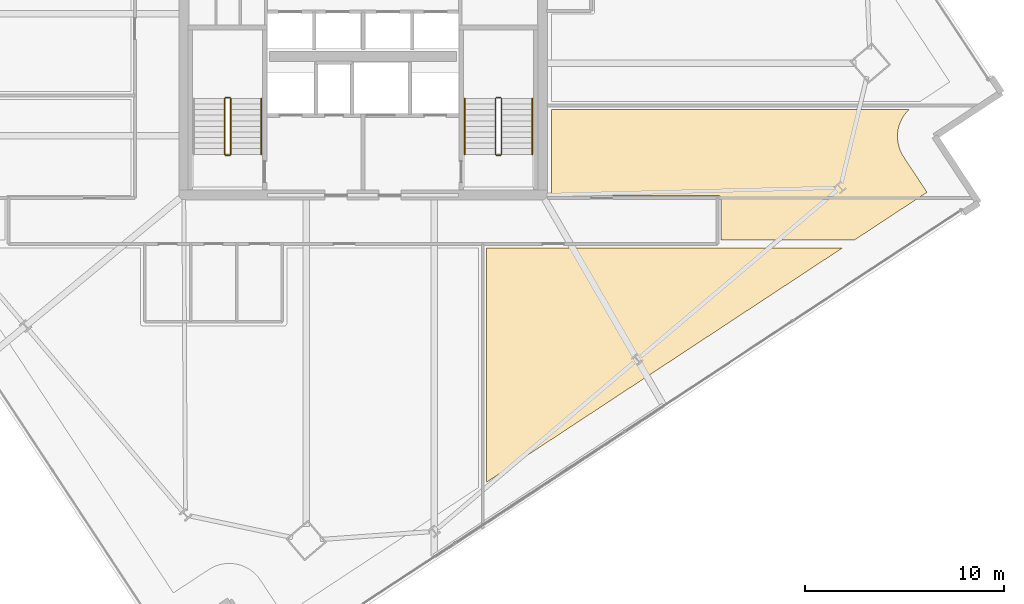
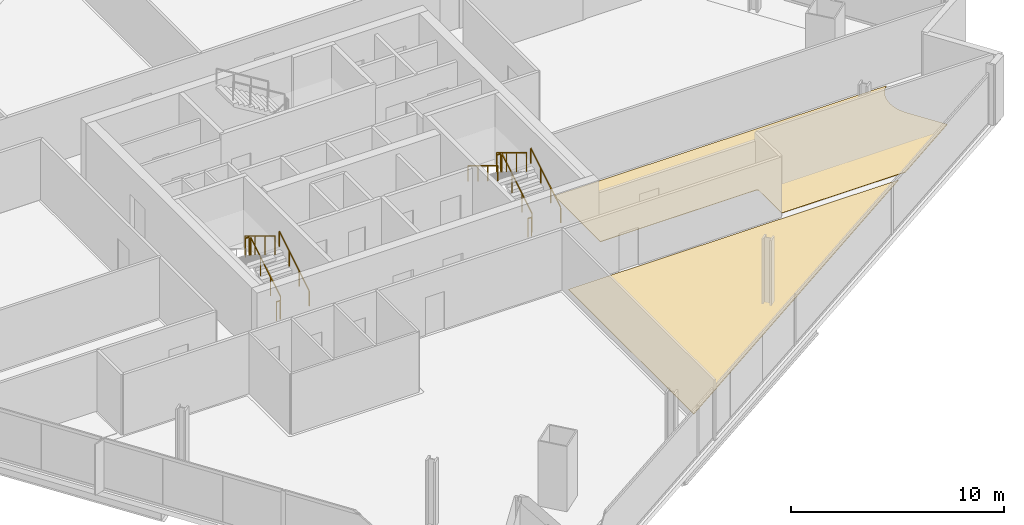
# One storey, part 26 of 29: 11 railings, 2 coverings.
"""IFC4 building model written with IfcOpenShell, lengths in metres."""

from ifc_helpers import new_model, si_unit, direction, frame, origin, origin_2d, place, context, subcontext, project, spatial, polyline, rectangle, outline, extrude, material, layer, layer_set, type_object, element, save


model = new_model("IFC4")

# Units and contexts
model_context = context("Model", 3, precision=1e-05, world=origin(), true_north=direction((0.0, 1.0)))
body_context = subcontext(model_context, "Body", "Model", "MODEL_VIEW")
ifc_project = project(units=[si_unit("LENGTHUNIT", "METRE"), si_unit("AREAUNIT", "SQUARE_METRE"), si_unit("VOLUMEUNIT", "CUBIC_METRE"), si_unit("PLANEANGLEUNIT", "RADIAN"), si_unit("MASSUNIT", "GRAM", prefix="KILO")], contexts=[model_context])

# Site, building, storey
site_placement = place(None, origin())
site = spatial("IfcSite", under=ifc_project, at=site_placement, CompositionType="ELEMENT")
building_placement = place(site_placement, origin())
building = spatial("IfcBuilding", under=site, at=building_placement, Name="Haldenkirk Collegiate Tower", CompositionType="ELEMENT")
storey_placement = place(building_placement, frame((0.0, 0.0, 140.699951171875)))
storey = spatial("IfcBuildingStorey", under=building, at=storey_placement, Name="L34", CompositionType="ELEMENT", Elevation=140.699951171875)

# Coverings
ifc_material_1 = material(Name="Polished collegiate terrazzo", Category="concrete")
ifc_layer_1 = layer(ifc_material_1, 0.02490234375)
ifc_layer_set_1 = layer_set([ifc_layer_1], Name="Polished collegiate terrazzo")
covering_type_1 = type_object("IfcCoveringType", Name="COV-FLOOR-TERRAZZO", PredefinedType="FLOORING", material=ifc_layer_set_1)
covering_1_placement = place(storey_placement, origin())
element("IfcCovering", 1, at=covering_1_placement, inside=storey, type_object=covering_type_1, Name="L34 academic room finish 02", PredefinedType="FLOORING", context=body_context, shape_type="SweptSolid", body=[
    extrude(outline(polyline([(42.199951171875, 3.587890625), (42.199951171875, 15.35009765625), (60.072265625, 15.35009765625), (42.199951171875, 3.587890625)])), origin(), (0.0, 0.0, 1.0), 0.025146484375),
])
ifc_material_2 = material(Name="Engineered collegiate oak acoustic flooring", Category="wood")
ifc_layer_2 = layer(ifc_material_2, 0.02197265625)
ifc_layer_set_2 = layer_set([ifc_layer_2], Name="Engineered collegiate oak acoustic flooring")
covering_type_2 = type_object("IfcCoveringType", Name="COV-FLOOR-TIMBER", PredefinedType="FLOORING", material=ifc_layer_set_2)
covering_2_placement = place(storey_placement, origin())
element("IfcCovering", 2, at=covering_2_placement, inside=storey, type_object=covering_type_2, Name="L34 academic room finish 09", PredefinedType="FLOORING", context=body_context, shape_type="SweptSolid", body=[
    extrude(outline(polyline([(63.41357421875, 22.300048828125), (63.395263671875, 22.28369140625), (63.386962890625, 22.275390625), (63.270751953125, 22.14892578125), (63.26318359375, 22.139892578125), (63.159912109375, 22.002685546875), (63.1533203125, 21.992919921875), (63.06396484375, 21.84619140625), (63.058349609375, 21.8359375), (62.98388671875, 21.681396484375), (62.979248046875, 21.67041015625), (62.920166015625, 21.509033203125), (62.916748046875, 21.497802734375), (62.873779296875, 21.33154296875), (62.87158203125, 21.320068359375), (62.84521484375, 21.150390625), (62.843994140625, 21.138671875), (62.834228515625, 20.96728515625), (62.833984375, 20.955322265625), (62.84130859375, 20.78369140625), (62.842529296875, 20.77197265625), (62.866455078125, 20.60205078125), (62.86865234375, 20.590576171875), (62.9091796875, 20.423583984375), (62.91259765625, 20.412109375), (62.969482421875, 20.25), (62.973876953125, 20.2392578125), (63.046142578125, 20.08349609375), (63.051513671875, 20.072998046875), (63.138916015625, 19.925048828125), (63.14208984375, 19.920166015625), (64.31298828125, 18.14111328125), (60.679931640625, 15.75), (53.969970703125, 15.75), (53.969970703125, 17.85009765625), (53.969482421875, 17.86181640625), (53.9677734375, 17.873291015625), (53.96484375, 17.884765625), (53.9609375, 17.89599609375), (53.955810546875, 17.906494140625), (53.94970703125, 17.916748046875), (53.94287109375, 17.926025390625), (53.934814453125, 17.934814453125), (53.926025390625, 17.94287109375), (53.916748046875, 17.94970703125), (53.906494140625, 17.955810546875), (53.89599609375, 17.9609375), (53.884765625, 17.96484375), (53.873291015625, 17.9677734375), (53.86181640625, 17.969482421875), (53.85009765625, 17.969970703125), (45.449951171875, 17.969970703125), (45.449951171875, 22.300048828125), (63.41357421875, 22.300048828125)])), origin(), (0.0, 0.0, 1.0), 0.02197265625),
])

# Railings
ifc_material_3 = material(Name="Painted architectural tubular steel", Category="steel")
railing_type_1 = type_object("IfcRailingType", Name="RLG-STAIR-GUARD-1100", PredefinedType="BALUSTRADE", material=ifc_material_3)
railing_1_placement = place(storey_placement, frame((29.35009765625, 20.050048828125, 0.17041015625)))
element("IfcRailing", 3, at=railing_1_placement, inside=storey, type_object=railing_type_1, Name="L34 ST-1 stair guard 1", PredefinedType="BALUSTRADE", context=body_context, shape_type="SweptSolid", body=[
    extrude(rectangle(XDim=0.048095703125, YDim=0.048095703125, at=origin_2d()), frame((0.0, 0.0, 1.076171875), z_axis=(0.0, 0.854169791009, 0.51999420009), x_axis=(-1.0, 0.0, 0.0)), (0.0, 0.0, 1.0), 3.278076171875),
    extrude(rectangle(XDim=0.0419921875, YDim=0.0419921875, at=origin_2d()), origin(), (0.0, 0.0, 1.0), 1.052001953125),
    extrude(rectangle(XDim=0.0419921875, YDim=0.0419921875, at=origin_2d()), frame((0.0, 0.933349609375, 0.568115234375)), (0.0, 0.0, 1.0), 1.052001953125),
    extrude(rectangle(XDim=0.0419921875, YDim=0.0419921875, at=origin_2d()), frame((0.0, 1.86669921875, 1.136474609375)), (0.0, 0.0, 1.0), 1.052001953125),
    extrude(rectangle(XDim=0.0419921875, YDim=0.0419921875, at=origin_2d()), frame((0.0, 2.800048828125, 1.70458984375)), (0.0, 0.0, 1.0), 1.052001953125),
])
railing_2_placement = place(storey_placement, frame((29.300048828125, 22.89990234375, 1.875)))
element("IfcRailing", 4, at=railing_2_placement, inside=storey, type_object=railing_type_1, Name="L34 ST-1 stair guard 2", PredefinedType="BALUSTRADE", context=body_context, shape_type="SweptSolid", body=[
    extrude(rectangle(XDim=0.048095703125, YDim=0.048095703125, at=origin_2d()), frame((0.0, 0.0, 1.076171875), z_axis=(-1.0, 0.0, 0.0), x_axis=(0.0, -1.0, 0.0)), (0.0, 0.0, 1.0), 0.199951171875),
    extrude(rectangle(XDim=0.0419921875, YDim=0.0419921875, at=origin_2d()), origin(), (0.0, 0.0, 1.0), 1.052001953125),
    extrude(rectangle(XDim=0.0419921875, YDim=0.0419921875, at=origin_2d()), frame((-0.199951171875, 0.0, 0.0)), (0.0, 0.0, 1.0), 1.052001953125),
])
railing_3_placement = place(storey_placement, frame((29.050048828125, 22.85009765625, 2.04541015625)))
element("IfcRailing", 5, at=railing_3_placement, inside=storey, type_object=railing_type_1, Name="L34 ST-1 stair guard 3", PredefinedType="BALUSTRADE", context=body_context, shape_type="SweptSolid", body=[
    extrude(rectangle(XDim=0.048095703125, YDim=0.048095703125, at=origin_2d()), frame((0.0, 0.0, 1.076171875), z_axis=(0.0, -0.854169791009, 0.51999420009), x_axis=(1.0, 0.0, 0.0)), (0.0, 0.0, 1.0), 3.278076171875),
    extrude(rectangle(XDim=0.0419921875, YDim=0.0419921875, at=origin_2d()), origin(), (0.0, 0.0, 1.0), 1.052001953125),
    extrude(rectangle(XDim=0.0419921875, YDim=0.0419921875, at=origin_2d()), frame((0.0, -0.933349609375, 0.568115234375)), (0.0, 0.0, 1.0), 1.052001953125),
    extrude(rectangle(XDim=0.0419921875, YDim=0.0419921875, at=origin_2d()), frame((0.0, -1.86669921875, 1.136474609375)), (0.0, 0.0, 1.0), 1.052001953125),
    extrude(rectangle(XDim=0.0419921875, YDim=0.0419921875, at=origin_2d()), frame((0.0, -2.800048828125, 1.70458984375)), (0.0, 0.0, 1.0), 1.052001953125),
])
railing_4_placement = place(storey_placement, frame((29.300048828125, 20.0, 0.0)))
element("IfcRailing", 6, at=railing_4_placement, inside=storey, type_object=railing_type_1, Name="L34 ST-1 stair guard 4", PredefinedType="BALUSTRADE", context=body_context, shape_type="SweptSolid", body=[
    extrude(rectangle(XDim=0.048095703125, YDim=0.048095703125, at=origin_2d()), frame((0.0, 0.0, 1.076171875), z_axis=(-1.0, 0.0, 0.0), x_axis=(0.0, -1.0, 0.0)), (0.0, 0.0, 1.0), 0.199951171875),
    extrude(rectangle(XDim=0.0419921875, YDim=0.0419921875, at=origin_2d()), origin(), (0.0, 0.0, 1.0), 1.052001953125),
    extrude(rectangle(XDim=0.0419921875, YDim=0.0419921875, at=origin_2d()), frame((-0.199951171875, 0.0, 0.0)), (0.0, 0.0, 1.0), 1.052001953125),
])
railing_5_placement = place(storey_placement, frame((42.949951171875, 20.050048828125, 0.17041015625)))
element("IfcRailing", 7, at=railing_5_placement, inside=storey, type_object=railing_type_1, Name="L34 ST-2 stair guard 1", PredefinedType="BALUSTRADE", context=body_context, shape_type="SweptSolid", body=[
    extrude(rectangle(XDim=0.048095703125, YDim=0.048095703125, at=origin_2d()), frame((0.0, 0.0, 1.076171875), z_axis=(0.0, 0.854169791009, 0.51999420009), x_axis=(-1.0, 0.0, 0.0)), (0.0, 0.0, 1.0), 3.278076171875),
    extrude(rectangle(XDim=0.0419921875, YDim=0.0419921875, at=origin_2d()), origin(), (0.0, 0.0, 1.0), 1.052001953125),
    extrude(rectangle(XDim=0.0419921875, YDim=0.0419921875, at=origin_2d()), frame((0.0, 0.933349609375, 0.568115234375)), (0.0, 0.0, 1.0), 1.052001953125),
    extrude(rectangle(XDim=0.0419921875, YDim=0.0419921875, at=origin_2d()), frame((0.0, 1.86669921875, 1.136474609375)), (0.0, 0.0, 1.0), 1.052001953125),
    extrude(rectangle(XDim=0.0419921875, YDim=0.0419921875, at=origin_2d()), frame((0.0, 2.800048828125, 1.70458984375)), (0.0, 0.0, 1.0), 1.052001953125),
])
railing_6_placement = place(storey_placement, frame((42.89990234375, 22.89990234375, 1.875)))
element("IfcRailing", 8, at=railing_6_placement, inside=storey, type_object=railing_type_1, Name="L34 ST-2 stair guard 2", PredefinedType="BALUSTRADE", context=body_context, shape_type="SweptSolid", body=[
    extrude(rectangle(XDim=0.048095703125, YDim=0.048095703125, at=origin_2d()), frame((0.0, 0.0, 1.076171875), z_axis=(-1.0, 0.0, 0.0), x_axis=(0.0, -1.0, 0.0)), (0.0, 0.0, 1.0), 0.199951171875),
    extrude(rectangle(XDim=0.0419921875, YDim=0.0419921875, at=origin_2d()), origin(), (0.0, 0.0, 1.0), 1.052001953125),
    extrude(rectangle(XDim=0.0419921875, YDim=0.0419921875, at=origin_2d()), frame((-0.199951171875, 0.0, 0.0)), (0.0, 0.0, 1.0), 1.052001953125),
])
railing_7_placement = place(storey_placement, frame((42.64990234375, 22.85009765625, 2.04541015625)))
element("IfcRailing", 9, at=railing_7_placement, inside=storey, type_object=railing_type_1, Name="L34 ST-2 stair guard 3", PredefinedType="BALUSTRADE", context=body_context, shape_type="SweptSolid", body=[
    extrude(rectangle(XDim=0.048095703125, YDim=0.048095703125, at=origin_2d()), frame((0.0, 0.0, 1.076171875), z_axis=(0.0, -0.854169791009, 0.51999420009), x_axis=(1.0, 0.0, 0.0)), (0.0, 0.0, 1.0), 3.278076171875),
    extrude(rectangle(XDim=0.0419921875, YDim=0.0419921875, at=origin_2d()), origin(), (0.0, 0.0, 1.0), 1.052001953125),
    extrude(rectangle(XDim=0.0419921875, YDim=0.0419921875, at=origin_2d()), frame((0.0, -0.933349609375, 0.568115234375)), (0.0, 0.0, 1.0), 1.052001953125),
    extrude(rectangle(XDim=0.0419921875, YDim=0.0419921875, at=origin_2d()), frame((0.0, -1.86669921875, 1.136474609375)), (0.0, 0.0, 1.0), 1.052001953125),
    extrude(rectangle(XDim=0.0419921875, YDim=0.0419921875, at=origin_2d()), frame((0.0, -2.800048828125, 1.70458984375)), (0.0, 0.0, 1.0), 1.052001953125),
])
railing_8_placement = place(storey_placement, frame((42.89990234375, 20.0, 0.0)))
element("IfcRailing", 10, at=railing_8_placement, inside=storey, type_object=railing_type_1, Name="L34 ST-2 stair guard 4", PredefinedType="BALUSTRADE", context=body_context, shape_type="SweptSolid", body=[
    extrude(rectangle(XDim=0.048095703125, YDim=0.048095703125, at=origin_2d()), frame((0.0, 0.0, 1.076171875), z_axis=(-1.0, 0.0, 0.0), x_axis=(0.0, -1.0, 0.0)), (0.0, 0.0, 1.0), 0.199951171875),
    extrude(rectangle(XDim=0.0419921875, YDim=0.0419921875, at=origin_2d()), origin(), (0.0, 0.0, 1.0), 1.052001953125),
    extrude(rectangle(XDim=0.0419921875, YDim=0.0419921875, at=origin_2d()), frame((-0.199951171875, 0.0, 0.0)), (0.0, 0.0, 1.0), 1.052001953125),
])
railing_type_2 = type_object("IfcRailingType", Name="RLG-STAIR-HANDRAIL-900", PredefinedType="HANDRAIL", material=ifc_material_3)
for number, where, name in (
    (11, (30.89990234375, 20.050048828125, 0.17041015625), "L34 ST-1 stair handrail 1"),
    (12, (44.5, 20.050048828125, 0.17041015625), "L34 ST-2 stair handrail 1"),
):
    element("IfcRailing", number, at=place(storey_placement, frame(where)), inside=storey, type_object=railing_type_2, Name=name, PredefinedType="HANDRAIL", context=body_context, shape_type="SweptSolid", body=[
        extrude(rectangle(XDim=0.048095703125, YDim=0.048095703125, at=origin_2d()), frame((0.0, 0.0, 0.8759765625), z_axis=(0.0, 0.854169791009, 0.51999420009), x_axis=(-1.0, 0.0, 0.0)), (0.0, 0.0, 1.0), 3.278076171875),
        extrude(rectangle(XDim=0.0419921875, YDim=0.0419921875, at=origin_2d()), origin(), (0.0, 0.0, 1.0), 0.851806640625),
        extrude(rectangle(XDim=0.0419921875, YDim=0.0419921875, at=origin_2d()), frame((0.0, 0.933349609375, 0.568115234375)), (0.0, 0.0, 1.0), 0.851806640625),
        extrude(rectangle(XDim=0.0419921875, YDim=0.0419921875, at=origin_2d()), frame((0.0, 1.86669921875, 1.136474609375)), (0.0, 0.0, 1.0), 0.851806640625),
        extrude(rectangle(XDim=0.0419921875, YDim=0.0419921875, at=origin_2d()), frame((0.0, 2.800048828125, 1.70458984375)), (0.0, 0.0, 1.0), 0.851806640625),
    ])
railing_9_placement = place(storey_placement, frame((41.10009765625, 22.85009765625, 2.04541015625)))
element("IfcRailing", 13, at=railing_9_placement, inside=storey, type_object=railing_type_2, Name="L34 ST-2 stair handrail 2", PredefinedType="HANDRAIL", context=body_context, shape_type="SweptSolid", body=[
    extrude(rectangle(XDim=0.048095703125, YDim=0.048095703125, at=origin_2d()), frame((0.0, 0.0, 0.8759765625), z_axis=(0.0, -0.854169791009, 0.51999420009), x_axis=(1.0, 0.0, 0.0)), (0.0, 0.0, 1.0), 3.278076171875),
    extrude(rectangle(XDim=0.0419921875, YDim=0.0419921875, at=origin_2d()), origin(), (0.0, 0.0, 1.0), 0.851806640625),
    extrude(rectangle(XDim=0.0419921875, YDim=0.0419921875, at=origin_2d()), frame((0.0, -0.933349609375, 0.568115234375)), (0.0, 0.0, 1.0), 0.851806640625),
    extrude(rectangle(XDim=0.0419921875, YDim=0.0419921875, at=origin_2d()), frame((0.0, -1.86669921875, 1.136474609375)), (0.0, 0.0, 1.0), 0.851806640625),
    extrude(rectangle(XDim=0.0419921875, YDim=0.0419921875, at=origin_2d()), frame((0.0, -2.800048828125, 1.70458984375)), (0.0, 0.0, 1.0), 0.851806640625),
])

save(model, "model.ifc")
